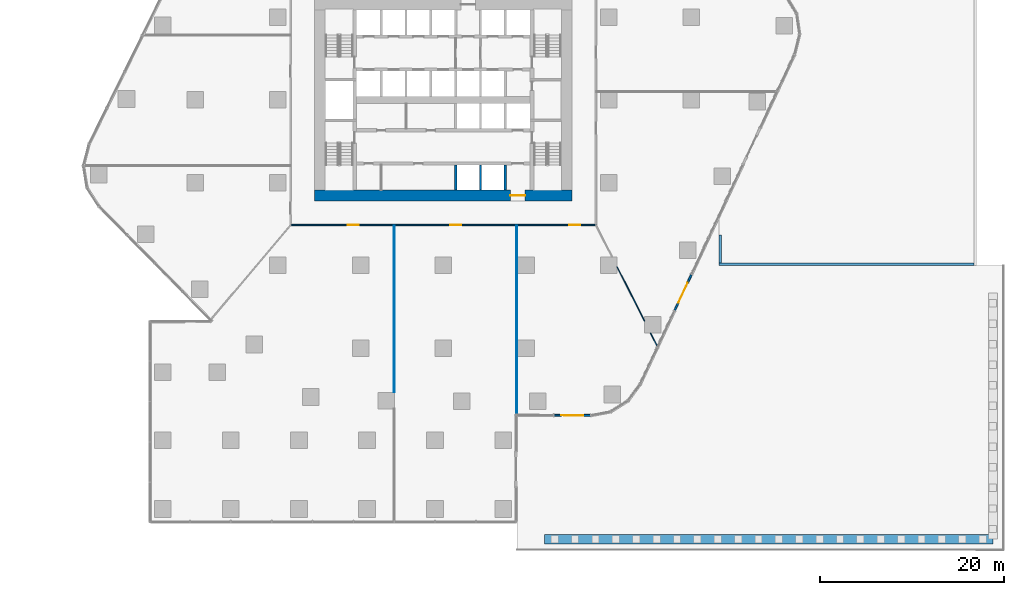
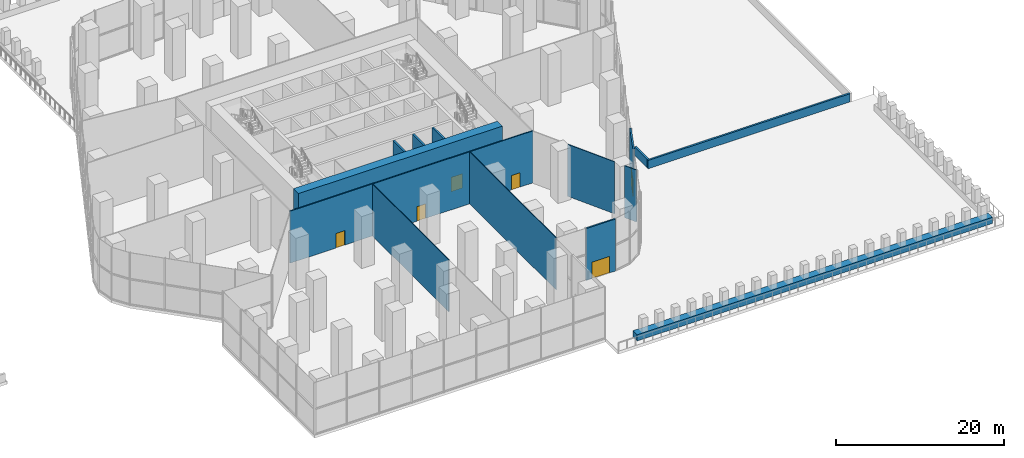
# One storey, part 14 of 22: 14 walls, 6 doors, 6 openings.
"""IFC4 building model written with IfcOpenShell, lengths in metres."""

from ifc_helpers import new_model, si_unit, direction, frame, frame_2d, origin, place, context, subcontext, project, spatial, rectangle, extrude, material, layer, layer_set, type_object, element, fill, save


model = new_model("IFC4")

# Units and contexts
model_context = context("Model", 3, precision=1e-05, world=origin(), true_north=direction((0.0, 1.0)))
body_context = subcontext(model_context, "Body", "Model", "MODEL_VIEW")
ifc_project = project(units=[si_unit("LENGTHUNIT", "METRE"), si_unit("AREAUNIT", "SQUARE_METRE"), si_unit("VOLUMEUNIT", "CUBIC_METRE"), si_unit("PLANEANGLEUNIT", "RADIAN"), si_unit("MASSUNIT", "GRAM", prefix="KILO")], contexts=[model_context])

# Site, building, storey
site_placement = place(None, origin())
site = spatial("IfcSite", under=ifc_project, at=site_placement, CompositionType="ELEMENT")
building_placement = place(site_placement, origin())
building = spatial("IfcBuilding", under=site, at=building_placement, Name="Dongbaek Canopy Tower", CompositionType="ELEMENT")
storey_placement = place(building_placement, frame((0.0, 0.0, 19.0)))
storey = spatial("IfcBuildingStorey", under=building, at=storey_placement, Name="L02", CompositionType="ELEMENT", Elevation=19.0)

# Wall, opening, door
ifc_material_1 = material(Name="Concrete C60/75", Category="concrete")
ifc_layer_1 = layer(ifc_material_1, 1.199951171875)
ifc_layer_set_1 = layer_set([ifc_layer_1], Name="Core outer wall 1200 Concrete C60/75")
wall_type_1 = type_object("IfcWallType", Name="Core outer wall 1200 Concrete C60/75", PredefinedType="SHEAR", material=ifc_layer_set_1)
wall_1_placement = place(storey_placement, frame((14.0, -10.39990234375, 0.0), z_axis=(0.0, 0.0, 1.0), x_axis=(-1.0, 0.0, 0.0)))
wall_1 = element("IfcWall", 1, at=wall_1_placement, inside=storey, type_object=wall_type_1, Name="Core wall", PredefinedType="SHEAR", context=body_context, shape_type="SweptSolid", body=[
    extrude(rectangle(XDim=28.0, YDim=1.199951171875, at=frame_2d((14.0, 0.0))), origin(), (0.0, 0.0, 1.0), 7.550048828125),
])
opening_1_placement = place(wall_1_placement, frame((5.10009765625, 0.0, 0.0)))
opening_1 = element("IfcOpeningElement", 2, at=opening_1_placement, cuts=wall_1, Name="Opening L02-D028", PredefinedType="OPENING", context=body_context, shape_type="SweptSolid", body=[
    extrude(rectangle(XDim=1.60009765625, YDim=2.10009765625, at=frame_2d((0.800048828125, 1.050048828125))), frame((0.0, 0.60986328125, 0.0), z_axis=(0.0, -1.0, 0.0), x_axis=(1.0, 0.0, 0.0)), (0.0, 0.0, 1.0), 1.219970703125),
])
ifc_material_2 = material(Name="Steel", Category="steel")
door_type_1 = type_object("IfcDoorType", Name="Core exit door 1600 x 2100", OperationType="DOUBLE_DOOR_SINGLE_SWING", PredefinedType="DOOR", material=ifc_material_2)
door_1_placement = place(opening_1_placement, origin())
door_1 = element("IfcDoor", 3, at=door_1_placement, inside=storey, type_object=door_type_1, Name="Core exit door", OperationType="DOUBLE_DOOR_SINGLE_SWING", OverallHeight=2.10009765625, OverallWidth=1.60009765625, PredefinedType="DOOR", context=body_context, shape_type="SweptSolid", body=[
    extrude(rectangle(XDim=1.60009765625, YDim=2.10009765625, at=frame_2d((0.800048828125, 1.050048828125))), frame((0.0, 0.02490234375, 0.0), z_axis=(0.0, -1.0, 0.0), x_axis=(1.0, 0.0, 0.0)), (0.0, 0.0, 1.0), 0.050048828125),
])
fill(opening_1, door_1)

ifc_material_3 = material(Name="Aluminium window wall", Category="aluminium")
ifc_layer_2 = layer(ifc_material_3, 0.199951171875)
ifc_layer_set_2 = layer_set([ifc_layer_2], Name="Entrance wall 200")
wall_type_2 = type_object("IfcWallType", Name="Entrance wall 200", PredefinedType="SOLIDWALL", material=ifc_layer_set_2)
wall_2_placement = place(storey_placement, frame((27.011474609375, -18.9697265625, 0.0), z_axis=(0.0, 0.0, 1.0), x_axis=(-0.424106735998, -0.905612210873, 0.0)))
wall_2 = element("IfcWall", 4, at=wall_2_placement, inside=storey, type_object=wall_type_2, Name="Entrance wall L02 F0 3", PredefinedType="SOLIDWALL", context=body_context, shape_type="SweptSolid", body=[
    extrude(rectangle(XDim=4.39794921875, YDim=0.199951171875, at=frame_2d((2.198974609375, 0.0))), origin(), (0.0, 0.0, 1.0), 7.550048828125),
])
opening_2_placement = place(wall_2_placement, frame((0.9990234375, 0.0, 0.0)))
opening_2 = element("IfcOpeningElement", 5, at=opening_2_placement, cuts=wall_2, Name="Opening L02-T01", PredefinedType="OPENING", context=body_context, shape_type="SweptSolid", body=[
    extrude(rectangle(XDim=2.39990234375, YDim=2.39990234375, at=frame_2d((1.199951171875, 1.199951171875))), frame((0.0, 0.10986328125, 0.0), z_axis=(0.0, -1.0, 0.0), x_axis=(1.0, 0.0, 0.0)), (0.0, 0.0, 1.0), 0.219970703125),
])
ifc_material_4 = material(Name="Clear glazing in aluminium frame", Category="aluminium")
door_type_2 = type_object("IfcDoorType", Name="Entrance door ED1 2400 x 2400", OperationType="DOUBLE_DOOR_SINGLE_SWING", PredefinedType="DOOR", material=ifc_material_4)
door_2_placement = place(opening_2_placement, origin())
door_2 = element("IfcDoor", 6, at=door_2_placement, inside=storey, type_object=door_type_2, Name="Exterior door L02-T01", OperationType="SINGLE_SWING_LEFT", OverallHeight=2.39990234375, OverallWidth=2.39990234375, PredefinedType="DOOR", context=body_context, shape_type="SweptSolid", body=[
    extrude(rectangle(XDim=2.39990234375, YDim=2.39990234375, at=frame_2d((1.199951171875, 1.199951171875))), frame((0.0, 0.02490234375, 0.0), z_axis=(0.0, -1.0, 0.0), x_axis=(1.0, 0.0, 0.0)), (0.0, 0.0, 1.0), 0.050048828125),
])
fill(opening_2, door_2)

wall_3_placement = place(storey_placement, frame((16.03662109375, -34.31591796875, 0.0), z_axis=(0.0, 0.0, 1.0), x_axis=(-0.999990139218, 0.004440885762, 0.0)))
wall_3 = element("IfcWall", 7, at=wall_3_placement, inside=storey, type_object=wall_type_2, Name="Entrance wall L02 F9 2", PredefinedType="SOLIDWALL", context=body_context, shape_type="SweptSolid", body=[
    extrude(rectangle(XDim=4.01318359375, YDim=0.199951171875, at=frame_2d((2.006591796875, 0.0))), origin(), (0.0, 0.0, 1.0), 7.550048828125),
])
opening_3_placement = place(wall_3_placement, frame((0.806640625, 0.0, 0.0)))
opening_3 = element("IfcOpeningElement", 8, at=opening_3_placement, cuts=wall_3, Name="Opening L02-T09", PredefinedType="OPENING", context=body_context, shape_type="SweptSolid", body=[
    extrude(rectangle(XDim=2.39990234375, YDim=2.39990234375, at=frame_2d((1.199951171875, 1.199951171875))), frame((0.0, 0.10986328125, 0.0), z_axis=(0.0, -1.0, 0.0), x_axis=(1.0, 0.0, 0.0)), (0.0, 0.0, 1.0), 0.219970703125),
])
door_3_placement = place(opening_3_placement, origin())
door_3 = element("IfcDoor", 9, at=door_3_placement, inside=storey, type_object=door_type_2, Name="Exterior door L02-T09", OperationType="SINGLE_SWING_LEFT", OverallHeight=2.39990234375, OverallWidth=2.39990234375, PredefinedType="DOOR", context=body_context, shape_type="SweptSolid", body=[
    extrude(rectangle(XDim=2.39990234375, YDim=2.39990234375, at=frame_2d((1.199951171875, 1.199951171875))), frame((0.0, 0.02490234375, 0.0), z_axis=(0.0, -1.0, 0.0), x_axis=(1.0, 0.0, 0.0)), (0.0, 0.0, 1.0), 0.050048828125),
])
fill(opening_3, door_3)

# Wall, openings, doors
ifc_material_5 = material(Name="Gypsum board partition, steel stud, 2 x 15 mm fire board", Category="steel")
ifc_layer_3 = layer(ifc_material_5, 0.14990234375)
ifc_layer_set_3 = layer_set([ifc_layer_3], Name="Fire-rated partition 150 gypsum board")
wall_type_3 = type_object("IfcWallType", Name="Fire-rated partition 150 gypsum board", PredefinedType="PARTITIONING", material=ifc_layer_set_3)
wall_4_placement = place(storey_placement, frame((16.675048828125, -13.60009765625, 0.0), z_axis=(0.0, 0.0, 1.0), x_axis=(-1.0, 0.0, 0.0)))
wall_4 = element("IfcWall", 10, at=wall_4_placement, inside=storey, type_object=wall_type_3, Name="Corridor partition", PredefinedType="PARTITIONING", context=body_context, shape_type="SweptSolid", body=[
    extrude(rectangle(XDim=33.35009765625, YDim=0.14990234375, at=frame_2d((16.675048828125, 0.0))), origin(), (0.0, 0.0, 1.0), 7.550048828125),
])
opening_4_placement = place(wall_4_placement, frame((25.852783203125, 0.0, 0.0)))
opening_4 = element("IfcOpeningElement", 11, at=opening_4_placement, cuts=wall_4, Name="Opening L02-D003", PredefinedType="OPENING", context=body_context, shape_type="SweptSolid", body=[
    extrude(rectangle(XDim=1.199951171875, YDim=2.10009765625, at=frame_2d((0.60009765625, 1.050048828125))), frame((0.0, 0.0849609375, 0.0), z_axis=(0.0, -1.0, 0.0), x_axis=(1.0, 0.0, 0.0)), (0.0, 0.0, 1.0), 0.169921875),
])
opening_5_placement = place(wall_4_placement, frame((14.74169921875, 0.0, 0.0)))
opening_5 = element("IfcOpeningElement", 12, at=opening_5_placement, cuts=wall_4, Name="Opening L02-D004", PredefinedType="OPENING", context=body_context, shape_type="SweptSolid", body=[
    extrude(rectangle(XDim=1.199951171875, YDim=2.10009765625, at=frame_2d((0.60009765625, 1.050048828125))), frame((0.0, 0.0849609375, 0.0), z_axis=(0.0, -1.0, 0.0), x_axis=(1.0, 0.0, 0.0)), (0.0, 0.0, 1.0), 0.169921875),
])
opening_6_placement = place(wall_4_placement, frame((1.763671875, 0.0, 0.0)))
opening_6 = element("IfcOpeningElement", 13, at=opening_6_placement, cuts=wall_4, Name="Opening L02-D005", PredefinedType="OPENING", context=body_context, shape_type="SweptSolid", body=[
    extrude(rectangle(XDim=1.199951171875, YDim=2.10009765625, at=frame_2d((0.60009765625, 1.050048828125))), frame((0.0, 0.0849609375, 0.0), z_axis=(0.0, -1.0, 0.0), x_axis=(1.0, 0.0, 0.0)), (0.0, 0.0, 1.0), 0.169921875),
])
ifc_material_6 = material(Name="Timber veneered door leaf", Category="wood")
door_type_3 = type_object("IfcDoorType", Name="Room door 1200 x 2100", OperationType="SINGLE_SWING_LEFT", PredefinedType="DOOR", material=ifc_material_6)
door_4_placement = place(opening_4_placement, origin())
door_4 = element("IfcDoor", 14, at=door_4_placement, inside=storey, type_object=door_type_3, Name="Door L02-D003", OperationType="SINGLE_SWING_RIGHT", OverallHeight=2.10009765625, OverallWidth=1.199951171875, PredefinedType="DOOR", context=body_context, shape_type="SweptSolid", body=[
    extrude(rectangle(XDim=1.199951171875, YDim=2.10009765625, at=frame_2d((0.60009765625, 1.050048828125))), frame((0.0, 0.02490234375, 0.0), z_axis=(0.0, -1.0, 0.0), x_axis=(1.0, 0.0, 0.0)), (0.0, 0.0, 1.0), 0.050048828125),
])
fill(opening_4, door_4)
door_5_placement = place(opening_5_placement, origin())
door_5 = element("IfcDoor", 15, at=door_5_placement, inside=storey, type_object=door_type_3, Name="Door L02-D004", OperationType="SINGLE_SWING_LEFT", OverallHeight=2.10009765625, OverallWidth=1.199951171875, PredefinedType="DOOR", context=body_context, shape_type="SweptSolid", body=[
    extrude(rectangle(XDim=1.199951171875, YDim=2.10009765625, at=frame_2d((0.60009765625, 1.050048828125))), frame((0.0, 0.02490234375, 0.0), z_axis=(0.0, -1.0, 0.0), x_axis=(1.0, 0.0, 0.0)), (0.0, 0.0, 1.0), 0.050048828125),
])
fill(opening_5, door_5)
door_6_placement = place(opening_6_placement, origin())
door_6 = element("IfcDoor", 16, at=door_6_placement, inside=storey, type_object=door_type_3, Name="Door L02-D005", OperationType="SINGLE_SWING_RIGHT", OverallHeight=2.10009765625, OverallWidth=1.199951171875, PredefinedType="DOOR", context=body_context, shape_type="SweptSolid", body=[
    extrude(rectangle(XDim=1.199951171875, YDim=2.10009765625, at=frame_2d((0.60009765625, 1.050048828125))), frame((0.0, 0.02490234375, 0.0), z_axis=(0.0, -1.0, 0.0), x_axis=(1.0, 0.0, 0.0)), (0.0, 0.0, 1.0), 0.050048828125),
])
fill(opening_6, door_6)

# Walls
ifc_material_7 = material(Name="Concrete C40/50", Category="concrete")
ifc_layer_4 = layer(ifc_material_7, 0.25)
ifc_layer_set_4 = layer_set([ifc_layer_4], Name="Lift shaft wall 250 Concrete C40/50")
wall_type_4 = type_object("IfcWallType", Name="Lift shaft wall 250 Concrete C40/50", PredefinedType="SOLIDWALL", material=ifc_layer_set_4)
for number, where, z_axis, x_axis, name in (
    (17, (6.75, -9.800048828125, 0.0), (0.0, 0.0, 1.0), (0.0, 1.0, 0.0), "Lift shaft wall"),
    (18, (4.050048828125, -9.800048828125, 0.0), (0.0, 0.0, 1.0), (0.0, 1.0, 0.0), "Lift shaft wall"),
    (19, (1.35009765625, -9.800048828125, 0.0), (0.0, 0.0, 1.0), (0.0, 1.0, 0.0), "Lift shaft wall"),
):
    element("IfcWall", number, at=place(storey_placement, frame(where, z_axis=z_axis, x_axis=x_axis)), inside=storey, type_object=wall_type_4, Name=name, PredefinedType="SOLIDWALL", context=body_context, shape_type="SweptSolid", body=[
        extrude(rectangle(XDim=2.72509765625, YDim=0.25, at=frame_2d((1.362548828125, 0.0))), origin(), (0.0, 0.0, 1.0), 7.550048828125),
    ])
ifc_material_8 = material(Name="Precast concrete C40/50 with pale metal coping", Category="concrete")
ifc_layer_5 = layer(ifc_material_8, 0.25)
ifc_layer_set_5 = layer_set([ifc_layer_5], Name="Parapet 250")
wall_type_5 = type_object("IfcWallType", Name="Parapet 250", PredefinedType="PARAPET", material=ifc_layer_set_5)
wall_5_placement = place(storey_placement, frame((57.75, -17.875, 0.0), z_axis=(0.0, 0.0, 1.0), x_axis=(-1.0, 0.0, 0.0)))
element("IfcWall", 20, at=wall_5_placement, inside=storey, type_object=wall_type_5, Name="Parapet L02 EW 2", PredefinedType="PARAPET", context=body_context, shape_type="SweptSolid", body=[
    extrude(rectangle(XDim=27.75, YDim=0.25, at=frame_2d((13.875, 0.0))), origin(), (0.0, 0.0, 1.0), 1.199951171875),
])
wall_6_placement = place(storey_placement, frame((30.125, -17.75, 0.0), z_axis=(0.0, 0.0, 1.0), x_axis=(0.0, 1.0, 0.0)))
element("IfcWall", 21, at=wall_6_placement, inside=storey, type_object=wall_type_5, Name="Parapet L02 EW 3", PredefinedType="PARAPET", context=body_context, shape_type="SweptSolid", body=[
    extrude(rectangle(XDim=3.039306640625, YDim=0.25, at=frame_2d((1.51953125, 0.0))), origin(), (0.0, 0.0, 1.0), 1.199951171875),
])
ifc_material_9 = material(Name="Gypsum board partition, steel stud, 2 x 12.5 mm board", Category="steel")
ifc_layer_6 = layer(ifc_material_9, 0.10009765625)
ifc_layer_set_6 = layer_set([ifc_layer_6], Name="Partition 100 gypsum board")
wall_type_6 = type_object("IfcWallType", Name="Partition 100 gypsum board", PredefinedType="PARTITIONING", material=ifc_layer_set_6)
wall_7_placement = place(storey_placement, frame((8.0, -34.260009765625, 0.0), z_axis=(0.0, 0.0, 1.0), x_axis=(0.0, 1.0, 0.0)))
element("IfcWall", 22, at=wall_7_placement, inside=storey, type_object=wall_type_6, Name="Partition", PredefinedType="PARTITIONING", context=body_context, shape_type="SweptSolid", body=[
    extrude(rectangle(XDim=20.5849609375, YDim=0.10009765625, at=frame_2d((10.29248046875, 0.0))), origin(), (0.0, 0.0, 1.0), 7.550048828125),
])
wall_8_placement = place(storey_placement, frame((-5.3330078125, -31.81689453125, 0.0), z_axis=(0.0, 0.0, 1.0), x_axis=(0.0, 1.0, 0.0)))
element("IfcWall", 23, at=wall_8_placement, inside=storey, type_object=wall_type_6, Name="Partition", PredefinedType="PARTITIONING", context=body_context, shape_type="SweptSolid", body=[
    extrude(rectangle(XDim=18.141845703125, YDim=0.10009765625, at=frame_2d((9.07080078125, 0.0))), origin(), (0.0, 0.0, 1.0), 7.550048828125),
])
wall_9_placement = place(storey_placement, frame((18.89990234375, -18.14306640625, 0.0), z_axis=(0.0, 0.0, 1.0), x_axis=(0.451674644957, -0.892182725176, 0.0)))
element("IfcWall", 24, at=wall_9_placement, inside=storey, type_object=wall_type_6, Name="Partition", PredefinedType="PARTITIONING", context=body_context, shape_type="SweptSolid", body=[
    extrude(rectangle(XDim=6.624755859375, YDim=0.10009765625, at=frame_2d((3.3125, 0.0))), origin(), (0.0, 0.0, 1.0), 7.550048828125),
])
wall_10_placement = place(storey_placement, frame((22.544921875, -25.343017578125, 0.0), z_axis=(0.0, 0.0, 1.0), x_axis=(0.451627018025, -0.892206835095, 0.0)))
element("IfcWall", 25, at=wall_10_placement, inside=storey, type_object=wall_type_6, Name="Partition", PredefinedType="PARTITIONING", context=body_context, shape_type="SweptSolid", body=[
    extrude(rectangle(XDim=1.6796875, YDim=0.10009765625, at=frame_2d((0.83984375, 0.0))), origin(), (0.0, 0.0, 1.0), 7.550048828125),
])
ifc_material_10 = material(Name="Precast concrete C40/50 planter", Category="concrete")
ifc_layer_7 = layer(ifc_material_10, 1.0)
ifc_layer_set_7 = layer_set([ifc_layer_7], Name="Podium planter trough 1000")
wall_type_7 = type_object("IfcWallType", Name="Podium planter trough 1000", PredefinedType="SOLIDWALL", material=ifc_layer_set_7)
wall_11_placement = place(storey_placement, frame((59.789794921875, -47.7861328125, 0.0), z_axis=(0.0, 0.0, 1.0), x_axis=(-0.999999995942, 9.0084679e-05, 0.0)))
element("IfcWall", 26, at=wall_11_placement, inside=storey, type_object=wall_type_7, Name="Podium planter 5", PredefinedType="SOLIDWALL", context=body_context, shape_type="SweptSolid", body=[
    extrude(rectangle(XDim=48.7822265625, YDim=1.0, at=frame_2d((24.39111328125, 0.0))), origin(), (0.0, 0.0, 1.0), 0.89990234375),
])

save(model, "model.ifc")
